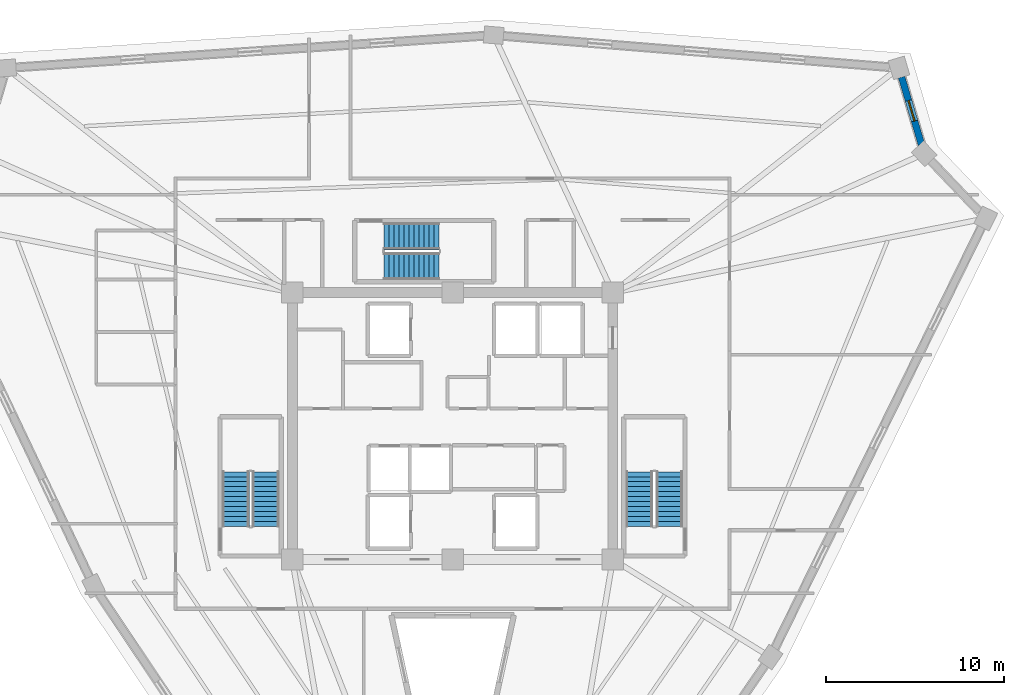
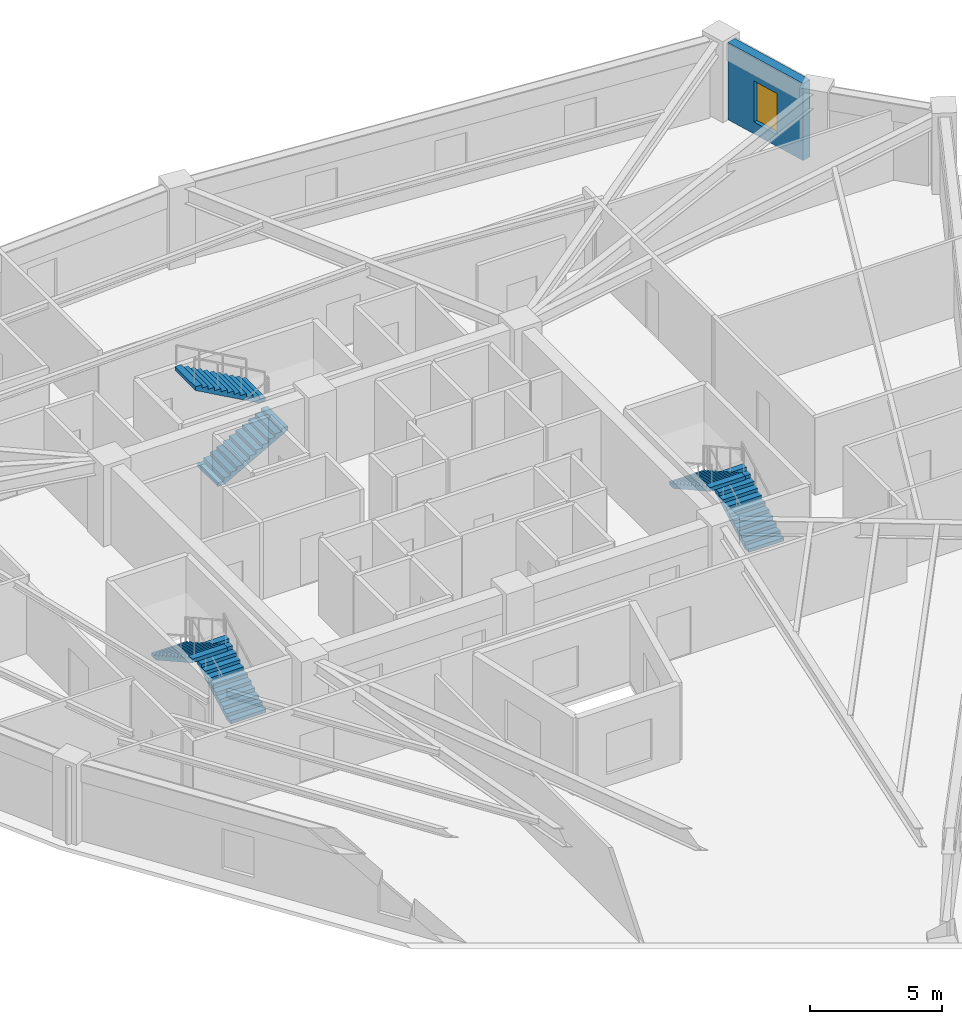
# One storey, part 7 of 8: 6 stair flights, 1 wall, 1 window, 1 opening, 3 elements without a shape of their own.
"""IFC4 building model written with IfcOpenShell, lengths in metres."""

from ifc_helpers import new_model, si_unit, direction, frame, frame_2d, origin, place, context, subcontext, project, spatial, polyline, rectangle, outline, extrude, source, transform, mapped, material, layer, layer_set, type_object, element, fill, aggregate, save


model = new_model("IFC4")

# Units and contexts
model_context = context("Model", 3, precision=1e-05, world=origin(), true_north=direction((0.0, 1.0)))
body_context = subcontext(model_context, "Body", "Model", "MODEL_VIEW")
ifc_project = project(units=[si_unit("LENGTHUNIT", "METRE"), si_unit("AREAUNIT", "SQUARE_METRE"), si_unit("VOLUMEUNIT", "CUBIC_METRE"), si_unit("PLANEANGLEUNIT", "RADIAN"), si_unit("MASSUNIT", "GRAM", prefix="KILO")], contexts=[model_context])

# Site, building, storey
site_placement = place(None, origin())
site = spatial("IfcSite", under=ifc_project, at=site_placement, CompositionType="ELEMENT")
building_placement = place(site_placement, origin())
building = spatial("IfcBuilding", under=site, at=building_placement, Name="Liaohun Quay Tower", CompositionType="ELEMENT")
storey_placement = place(building_placement, frame((0.0, 0.0, 312.75)))
storey = spatial("IfcBuildingStorey", under=building, at=storey_placement, Name="L81", CompositionType="ELEMENT", Elevation=312.75)

# Wall, opening, window
ifc_material_1 = material(Name="Precast concrete C50 insulated sandwich", Category="concrete")
ifc_layer = layer(ifc_material_1, 0.3798828125, Name="Precast concrete C50 insulated sandwich", Category="concrete")
ifc_layer_set = layer_set([ifc_layer], Name="Precast concrete C50 insulated sandwich")
wall_type = type_object("IfcWallType", Name="WAL-EXT-Z34", PredefinedType="SOLIDWALL", material=ifc_layer_set)
wall_placement = place(storey_placement, frame((86.340087890625, 69.81396484375, 0.0), z_axis=(0.0, 0.0, 1.0), x_axis=(-0.28233716639, 0.959315237279, 0.0)))
wall = element("IfcWall", 1, at=wall_placement, inside=storey, type_object=wall_type, Name="L81 Brutalist Precast Pier Wall 05", PredefinedType="SOLIDWALL", context=body_context, shape_type="SweptSolid", body=[
    extrude(rectangle(XDim=3.94580078125, YDim=0.3798828125, at=frame_2d((1.972900390625, 0.0))), origin(), (0.0, 0.0, 1.0), 3.570068359375),
])
shared_shape_1 = source(origin(), body_context, "Body", "SweptSolid", [
    extrude(rectangle(XDim=1.199951171875, YDim=1.89990234375, at=frame_2d((0.60009765625, 0.949951171875))), frame((0.0, 0.199951171875, 0.0), z_axis=(0.0, -1.0, 0.0), x_axis=(1.0, 0.0, 0.0)), (0.0, 0.0, 1.0), 0.39990234375),
])
opening_placement = place(wall_placement, frame((1.373046875, 0.0, 0.550048828125)))
opening = element("IfcOpeningElement", 2, at=opening_placement, cuts=wall, Name="Opening W05", PredefinedType="OPENING", context=body_context, shape_type="MappedRepresentation", body=[
    mapped(shared_shape_1, transform((0.0, 0.0, 0.0), x_axis=(1.0, 0.0, 0.0), y_axis=(0.0, 1.0, 0.0), z_axis=(0.0, 0.0, 1.0), scale=1.0)),
])
ifc_material_2 = material(Name="Triple Low-E corner notch glazing", Category="glass")
window_type = type_object("IfcWindowType", Name="WIN-NOTCH", PartitioningType="SINGLE_PANEL", PredefinedType="WINDOW", material=ifc_material_2)
shared_shape_2 = source(origin(), body_context, "Body", "SweptSolid", [
    extrude(rectangle(XDim=1.199951171875, YDim=1.89990234375, at=frame_2d((0.60009765625, 0.949951171875))), frame((0.0, 0.030029296875, 0.0), z_axis=(0.0, -1.0, 0.0), x_axis=(1.0, 0.0, 0.0)), (0.0, 0.0, 1.0), 0.06005859375),
])
window_placement = place(opening_placement, origin())
window = element("IfcWindow", 3, at=window_placement, inside=storey, type_object=window_type, Name="L81 Corner Notch Window W05-05", OverallHeight=1.89990234375, OverallWidth=1.199951171875, PartitioningType="SINGLE_PANEL", PredefinedType="WINDOW", context=body_context, shape_type="MappedRepresentation", body=[
    mapped(shared_shape_2, transform((0.0, 0.0, 0.0), x_axis=(1.0, 0.0, 0.0), y_axis=(0.0, 1.0, 0.0), z_axis=(0.0, 0.0, 1.0), scale=1.0)),
])
fill(opening, window)

# Stair, stair flights
ifc_material_3 = material(Name="Concrete C45", Category="concrete")
stair_type = type_object("IfcStairType", Name="STR-CORE-OFF", PredefinedType="HALF_TURN_STAIR", material=ifc_material_3)
stair_1_placement = place(storey_placement, origin())
stair_1 = element("IfcStair", 4, at=stair_1_placement, inside=storey, type_object=stair_type, Name="L81 Smokeproof Core Exit Stair ST-1", PredefinedType="HALF_TURN_STAIR")
stair_flight_type = type_object("IfcStairFlightType", Name="FLT-CORE-155", PredefinedType="STRAIGHT", material=ifc_material_3)
stair_flight_1_placement = place(storey_placement, frame((49.5048828125, 48.35009765625, 0.0), z_axis=(0.0, 0.0, 1.0), x_axis=(0.0, 1.0, 0.0)))
stair_flight_1 = element("IfcStairFlight", 5, at=stair_flight_1_placement, type_object=stair_flight_type, Name="ST-1 flight 1", NumberOfRisers=12, NumberOfTreads=11, PredefinedType="STRAIGHT", RiserHeight=0.15625, TreadLength=0.28, context=body_context, shape_type="SweptSolid", body=[
    extrude(outline(polyline([(0.0, 0.0), (0.0, 0.15625), (0.280029296875, 0.15625), (0.280029296875, 0.3125), (0.56005859375, 0.3125), (0.56005859375, 0.46875), (0.840087890625, 0.46875), (0.840087890625, 0.625), (1.1201171875, 0.625), (1.1201171875, 0.78125), (1.39990234375, 0.78125), (1.39990234375, 0.9375), (1.679931640625, 0.9375), (1.679931640625, 1.09375), (1.9599609375, 1.09375), (1.9599609375, 1.25), (2.239990234375, 1.25), (2.239990234375, 1.40625), (2.52001953125, 1.40625), (2.52001953125, 1.5625), (2.800048828125, 1.5625), (2.800048828125, 1.71875), (3.080078125, 1.71875), (3.080078125, 1.875), (3.080078125, 1.547119140625), (0.3076171875, 0.0), (0.0, 0.0)])), frame((0.0, 0.77490234375, 0.0), z_axis=(0.0, -1.0, 0.0), x_axis=(1.0, 0.0, 0.0)), (0.0, 0.0, 1.0), 1.550048828125),
])
stair_flight_2_placement = place(storey_placement, frame((47.81494140625, 51.429931640625, 1.875), z_axis=(0.0, 0.0, 1.0), x_axis=(0.0, -1.0, 0.0)))
stair_flight_2 = element("IfcStairFlight", 6, at=stair_flight_2_placement, type_object=stair_flight_type, Name="ST-1 flight 2", NumberOfRisers=12, NumberOfTreads=11, PredefinedType="STRAIGHT", RiserHeight=0.15625, TreadLength=0.28, context=body_context, shape_type="SweptSolid", body=[
    extrude(outline(polyline([(0.0, 0.0), (0.0, 0.15625), (0.280029296875, 0.15625), (0.280029296875, 0.3125), (0.56005859375, 0.3125), (0.56005859375, 0.46875), (0.840087890625, 0.46875), (0.840087890625, 0.625), (1.1201171875, 0.625), (1.1201171875, 0.78125), (1.39990234375, 0.78125), (1.39990234375, 0.9375), (1.679931640625, 0.9375), (1.679931640625, 1.09375), (1.9599609375, 1.09375), (1.9599609375, 1.25), (2.239990234375, 1.25), (2.239990234375, 1.40625), (2.52001953125, 1.40625), (2.52001953125, 1.5625), (2.800048828125, 1.5625), (2.800048828125, 1.71875), (3.080078125, 1.71875), (3.080078125, 1.875), (3.080078125, 1.547119140625), (0.3076171875, 0.0), (0.0, 0.0)])), frame((0.0, 0.77490234375, 0.0), z_axis=(0.0, -1.0, 0.0), x_axis=(1.0, 0.0, 0.0)), (0.0, 0.0, 1.0), 1.550048828125),
])
aggregate(stair_1, [stair_flight_1, stair_flight_2])

stair_2_placement = place(storey_placement, origin())
stair_2 = element("IfcStair", 7, at=stair_2_placement, inside=storey, type_object=stair_type, Name="L81 Smokeproof Core Exit Stair ST-2", PredefinedType="HALF_TURN_STAIR")
stair_flight_3_placement = place(storey_placement, frame((72.18505859375, 48.35009765625, 0.0), z_axis=(0.0, 0.0, 1.0), x_axis=(0.0, 1.0, 0.0)))
stair_flight_3 = element("IfcStairFlight", 8, at=stair_flight_3_placement, type_object=stair_flight_type, Name="ST-2 flight 1", NumberOfRisers=12, NumberOfTreads=11, PredefinedType="STRAIGHT", RiserHeight=0.15625, TreadLength=0.28, context=body_context, shape_type="SweptSolid", body=[
    extrude(outline(polyline([(0.0, 0.0), (0.0, 0.15625), (0.280029296875, 0.15625), (0.280029296875, 0.3125), (0.56005859375, 0.3125), (0.56005859375, 0.46875), (0.840087890625, 0.46875), (0.840087890625, 0.625), (1.1201171875, 0.625), (1.1201171875, 0.78125), (1.39990234375, 0.78125), (1.39990234375, 0.9375), (1.679931640625, 0.9375), (1.679931640625, 1.09375), (1.9599609375, 1.09375), (1.9599609375, 1.25), (2.239990234375, 1.25), (2.239990234375, 1.40625), (2.52001953125, 1.40625), (2.52001953125, 1.5625), (2.800048828125, 1.5625), (2.800048828125, 1.71875), (3.080078125, 1.71875), (3.080078125, 1.875), (3.080078125, 1.547119140625), (0.3076171875, 0.0), (0.0, 0.0)])), frame((0.0, 0.77490234375, 0.0), z_axis=(0.0, -1.0, 0.0), x_axis=(1.0, 0.0, 0.0)), (0.0, 0.0, 1.0), 1.550048828125),
])
stair_flight_4_placement = place(storey_placement, frame((70.4951171875, 51.429931640625, 1.875), z_axis=(0.0, 0.0, 1.0), x_axis=(0.0, -1.0, 0.0)))
stair_flight_4 = element("IfcStairFlight", 9, at=stair_flight_4_placement, type_object=stair_flight_type, Name="ST-2 flight 2", NumberOfRisers=12, NumberOfTreads=11, PredefinedType="STRAIGHT", RiserHeight=0.15625, TreadLength=0.28, context=body_context, shape_type="SweptSolid", body=[
    extrude(outline(polyline([(0.0, 0.0), (0.0, 0.15625), (0.280029296875, 0.15625), (0.280029296875, 0.3125), (0.56005859375, 0.3125), (0.56005859375, 0.46875), (0.840087890625, 0.46875), (0.840087890625, 0.625), (1.1201171875, 0.625), (1.1201171875, 0.78125), (1.39990234375, 0.78125), (1.39990234375, 0.9375), (1.679931640625, 0.9375), (1.679931640625, 1.09375), (1.9599609375, 1.09375), (1.9599609375, 1.25), (2.239990234375, 1.25), (2.239990234375, 1.40625), (2.52001953125, 1.40625), (2.52001953125, 1.5625), (2.800048828125, 1.5625), (2.800048828125, 1.71875), (3.080078125, 1.71875), (3.080078125, 1.875), (3.080078125, 1.547119140625), (0.3076171875, 0.0), (0.0, 0.0)])), frame((0.0, 0.77490234375, 0.0), z_axis=(0.0, -1.0, 0.0), x_axis=(1.0, 0.0, 0.0)), (0.0, 0.0, 1.0), 1.550048828125),
])
aggregate(stair_2, [stair_flight_3, stair_flight_4])

stair_3_placement = place(storey_placement, origin())
stair_3 = element("IfcStair", 10, at=stair_3_placement, inside=storey, type_object=stair_type, Name="L81 Smokeproof Core Exit Stair ST-3", PredefinedType="HALF_TURN_STAIR")
stair_flight_5_placement = place(storey_placement, frame((56.14990234375, 62.97509765625, 0.0), z_axis=(0.0, 0.0, 1.0), x_axis=(1.0, 0.0, 0.0)))
stair_flight_5 = element("IfcStairFlight", 11, at=stair_flight_5_placement, type_object=stair_flight_type, Name="ST-3 flight 1", NumberOfRisers=12, NumberOfTreads=11, PredefinedType="STRAIGHT", RiserHeight=0.15625, TreadLength=0.28, context=body_context, shape_type="SweptSolid", body=[
    extrude(outline(polyline([(0.0, 0.0), (0.0, 0.15625), (0.280029296875, 0.15625), (0.280029296875, 0.3125), (0.56005859375, 0.3125), (0.56005859375, 0.46875), (0.840087890625, 0.46875), (0.840087890625, 0.625), (1.1201171875, 0.625), (1.1201171875, 0.78125), (1.39990234375, 0.78125), (1.39990234375, 0.9375), (1.679931640625, 0.9375), (1.679931640625, 1.09375), (1.9599609375, 1.09375), (1.9599609375, 1.25), (2.239990234375, 1.25), (2.239990234375, 1.40625), (2.52001953125, 1.40625), (2.52001953125, 1.5625), (2.800048828125, 1.5625), (2.800048828125, 1.71875), (3.080078125, 1.71875), (3.080078125, 1.875), (3.080078125, 1.547119140625), (0.3076171875, 0.0), (0.0, 0.0)])), frame((0.0, 0.77490234375, 0.0), z_axis=(0.0, -1.0, 0.0), x_axis=(1.0, 0.0, 0.0)), (0.0, 0.0, 1.0), 1.550048828125),
])
stair_flight_6_placement = place(storey_placement, frame((59.22998046875, 64.6650390625, 1.875), z_axis=(0.0, 0.0, 1.0), x_axis=(-1.0, 0.0, 0.0)))
stair_flight_6 = element("IfcStairFlight", 12, at=stair_flight_6_placement, type_object=stair_flight_type, Name="ST-3 flight 2", NumberOfRisers=12, NumberOfTreads=11, PredefinedType="STRAIGHT", RiserHeight=0.15625, TreadLength=0.28, context=body_context, shape_type="SweptSolid", body=[
    extrude(outline(polyline([(0.0, 0.0), (0.0, 0.15625), (0.280029296875, 0.15625), (0.280029296875, 0.3125), (0.56005859375, 0.3125), (0.56005859375, 0.46875), (0.840087890625, 0.46875), (0.840087890625, 0.625), (1.1201171875, 0.625), (1.1201171875, 0.78125), (1.39990234375, 0.78125), (1.39990234375, 0.9375), (1.679931640625, 0.9375), (1.679931640625, 1.09375), (1.9599609375, 1.09375), (1.9599609375, 1.25), (2.239990234375, 1.25), (2.239990234375, 1.40625), (2.52001953125, 1.40625), (2.52001953125, 1.5625), (2.800048828125, 1.5625), (2.800048828125, 1.71875), (3.080078125, 1.71875), (3.080078125, 1.875), (3.080078125, 1.547119140625), (0.3076171875, 0.0), (0.0, 0.0)])), frame((0.0, 0.77490234375, 0.0), z_axis=(0.0, -1.0, 0.0), x_axis=(1.0, 0.0, 0.0)), (0.0, 0.0, 1.0), 1.550048828125),
])
aggregate(stair_3, [stair_flight_5, stair_flight_6])

save(model, "model.ifc")
